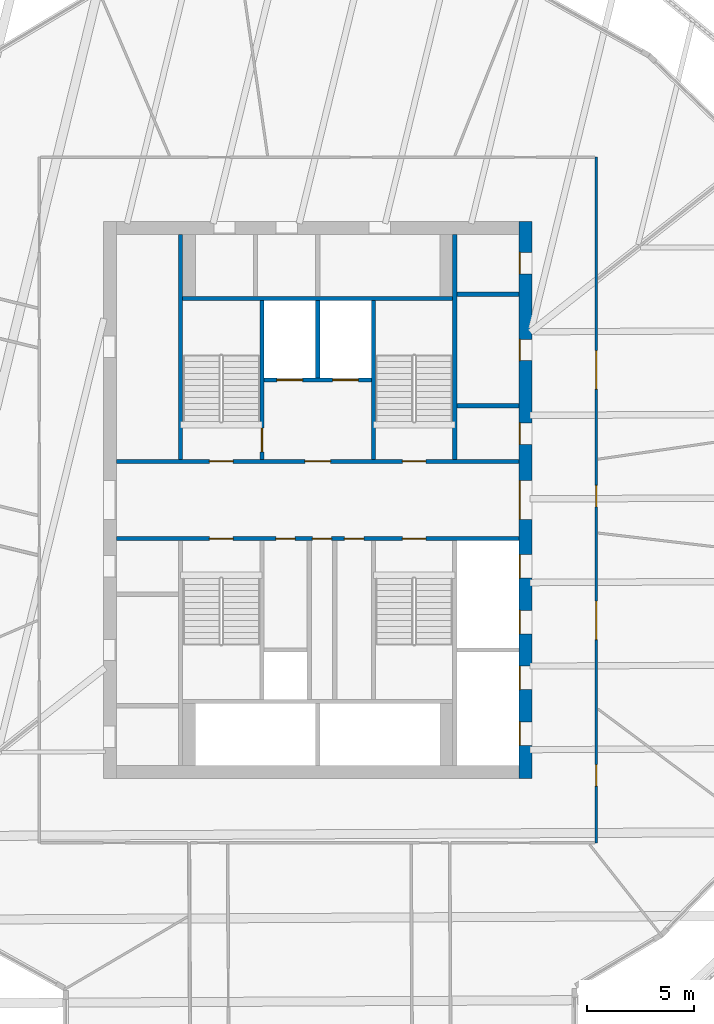
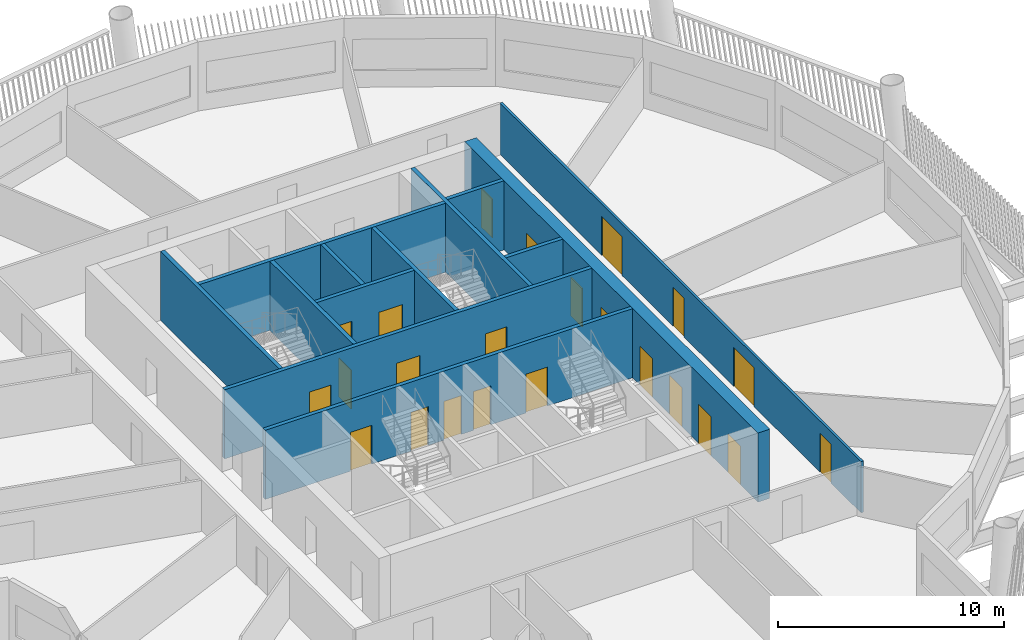
# One storey, part 5 of 15: 23 doors, 13 walls, 23 openings.
"""IFC4 building model written with IfcOpenShell, lengths in metres."""

from ifc_helpers import new_model, si_unit, direction, frame, frame_2d, origin, place, context, subcontext, project, spatial, rectangle, extrude, material, layer, layer_set, type_object, element, fill, save


model = new_model("IFC4")

# Units and contexts
model_context = context("Model", 3, precision=1e-05, world=origin(), true_north=direction((0.0, 1.0)))
body_context = subcontext(model_context, "Body", "Model", "MODEL_VIEW")
ifc_project = project(units=[si_unit("LENGTHUNIT", "METRE"), si_unit("AREAUNIT", "SQUARE_METRE"), si_unit("VOLUMEUNIT", "CUBIC_METRE"), si_unit("PLANEANGLEUNIT", "RADIAN"), si_unit("MASSUNIT", "GRAM", prefix="KILO")], contexts=[model_context])

# Site, building, storey
site_placement = place(None, origin())
site = spatial("IfcSite", under=ifc_project, at=site_placement, CompositionType="ELEMENT")
building_placement = place(site_placement, origin())
building = spatial("IfcBuilding", under=site, at=building_placement, Name="Tarsis Ring Headquarters", CompositionType="ELEMENT")
storey_placement = place(building_placement, frame((0.0, 0.0, 227.699951171875)))
storey = spatial("IfcBuildingStorey", under=building, at=storey_placement, Name="L53", CompositionType="ELEMENT", Elevation=227.699951171875)

# Walls
ifc_material_1 = material(Name="Blockwork", Category="masonry")
ifc_layer_1 = layer(ifc_material_1, 0.199951171875)
ifc_layer_set_1 = layer_set([ifc_layer_1], Name="Core blockwork wall 200")
wall_type_1 = type_object("IfcWallType", Name="Core blockwork wall 200", PredefinedType="PARTITIONING", material=ifc_layer_set_1)
for number, where, z_axis, x_axis, name in (
    (1, (6.5, 4.39990234375, 0.0), (0.0, 0.0, 1.0), (1.0, 0.0, 0.0), "Core partition ED5"),
    (2, (6.5, 9.60009765625, 0.0), (0.0, 0.0, 1.0), (1.0, 0.0, 0.0), "Core partition ED7"),
):
    element("IfcWall", number, at=place(storey_placement, frame(where, z_axis=z_axis, x_axis=x_axis)), inside=storey, type_object=wall_type_1, Name=name, PredefinedType="PARTITIONING", context=body_context, shape_type="SweptSolid", body=[
        extrude(rectangle(XDim=2.89990234375, YDim=0.199951171875, at=frame_2d((1.449951171875, 0.0))), origin(), (0.0, 0.0, 1.0), 3.739990234375),
    ])

# Wall, openings, doors
ifc_material_2 = material(Name="Concrete C50/60", Category="concrete")
ifc_layer_2 = layer(ifc_material_2, 0.60009765625)
ifc_layer_set_2 = layer_set([ifc_layer_2], Name="Core wall 600 C50/60")
wall_type_2 = type_object("IfcWallType", Name="Core wall 600 C50/60", PredefinedType="SHEAR", material=ifc_layer_set_2)
wall_1_placement = place(storey_placement, frame((9.699951171875, -13.0, 0.0), z_axis=(0.0, 0.0, 1.0), x_axis=(0.0, 1.0, 0.0)))
wall_1 = element("IfcWall", 3, at=wall_1_placement, inside=storey, type_object=wall_type_2, Name="Core wall OE", PredefinedType="SHEAR", context=body_context, shape_type="SweptSolid", body=[
    extrude(rectangle(XDim=26.0, YDim=0.60009765625, at=frame_2d((13.0, 0.0))), origin(), (0.0, 0.0, 1.0), 3.739990234375),
])
opening_1_placement = place(wall_1_placement, frame((1.550048828125, 0.0, 0.0)))
opening_1 = element("IfcOpeningElement", 4, at=opening_1_placement, cuts=wall_1, Name="Opening LD-MR1", PredefinedType="OPENING", context=body_context, shape_type="SweptSolid", body=[
    extrude(rectangle(XDim=1.10009765625, YDim=2.10009765625, at=frame_2d((0.550048828125, 1.050048828125))), frame((0.0, 0.31005859375, 0.0), z_axis=(0.0, -1.0, 0.0), x_axis=(1.0, 0.0, 0.0)), (0.0, 0.0, 1.0), 0.6201171875),
])
opening_2_placement = place(wall_1_placement, frame((4.14990234375, 0.0, 0.0)))
opening_2 = element("IfcOpeningElement", 5, at=opening_2_placement, cuts=wall_1, Name="Opening LD-MR2", PredefinedType="OPENING", context=body_context, shape_type="SweptSolid", body=[
    extrude(rectangle(XDim=1.10009765625, YDim=2.10009765625, at=frame_2d((0.550048828125, 1.050048828125))), frame((0.0, 0.31005859375, 0.0), z_axis=(0.0, -1.0, 0.0), x_axis=(1.0, 0.0, 0.0)), (0.0, 0.0, 1.0), 0.6201171875),
])
opening_3_placement = place(wall_1_placement, frame((6.75, 0.0, 0.0)))
opening_3 = element("IfcOpeningElement", 6, at=opening_3_placement, cuts=wall_1, Name="Opening LD-MR3", PredefinedType="OPENING", context=body_context, shape_type="SweptSolid", body=[
    extrude(rectangle(XDim=1.10009765625, YDim=2.10009765625, at=frame_2d((0.550048828125, 1.050048828125))), frame((0.0, 0.31005859375, 0.0), z_axis=(0.0, -1.0, 0.0), x_axis=(1.0, 0.0, 0.0)), (0.0, 0.0, 1.0), 0.6201171875),
])
opening_4_placement = place(wall_1_placement, frame((9.35009765625, 0.0, 0.0)))
opening_4 = element("IfcOpeningElement", 7, at=opening_4_placement, cuts=wall_1, Name="Opening LD-MR4", PredefinedType="OPENING", context=body_context, shape_type="SweptSolid", body=[
    extrude(rectangle(XDim=1.10009765625, YDim=2.10009765625, at=frame_2d((0.550048828125, 1.050048828125))), frame((0.0, 0.31005859375, 0.0), z_axis=(0.0, -1.0, 0.0), x_axis=(1.0, 0.0, 0.0)), (0.0, 0.0, 1.0), 0.6201171875),
])
opening_5_placement = place(wall_1_placement, frame((12.10009765625, 0.0, 0.0)))
opening_5 = element("IfcOpeningElement", 8, at=opening_5_placement, cuts=wall_1, Name="Opening L53-C10", PredefinedType="OPENING", context=body_context, shape_type="SweptSolid", body=[
    extrude(rectangle(XDim=1.800048828125, YDim=2.10009765625, at=frame_2d((0.89990234375, 1.050048828125))), frame((0.0, 0.31005859375, 0.0), z_axis=(0.0, -1.0, 0.0), x_axis=(1.0, 0.0, 0.0)), (0.0, 0.0, 1.0), 0.6201171875),
])
opening_6_placement = place(wall_1_placement, frame((15.60009765625, 0.0, 0.0)))
opening_6 = element("IfcOpeningElement", 9, at=opening_6_placement, cuts=wall_1, Name="Opening L53-C11", PredefinedType="OPENING", context=body_context, shape_type="SweptSolid", body=[
    extrude(rectangle(XDim=1.0, YDim=2.10009765625, at=frame_2d((0.5, 1.050048828125))), frame((0.0, 0.31005859375, 0.0), z_axis=(0.0, -1.0, 0.0), x_axis=(1.0, 0.0, 0.0)), (0.0, 0.0, 1.0), 0.6201171875),
])
opening_7_placement = place(wall_1_placement, frame((19.5, 0.0, 0.0)))
opening_7 = element("IfcOpeningElement", 10, at=opening_7_placement, cuts=wall_1, Name="Opening L53-C12", PredefinedType="OPENING", context=body_context, shape_type="SweptSolid", body=[
    extrude(rectangle(XDim=1.0, YDim=2.10009765625, at=frame_2d((0.5, 1.050048828125))), frame((0.0, 0.31005859375, 0.0), z_axis=(0.0, -1.0, 0.0), x_axis=(1.0, 0.0, 0.0)), (0.0, 0.0, 1.0), 0.6201171875),
])
opening_8_placement = place(wall_1_placement, frame((23.550048828125, 0.0, 0.0)))
opening_8 = element("IfcOpeningElement", 11, at=opening_8_placement, cuts=wall_1, Name="Opening L53-C13", PredefinedType="OPENING", context=body_context, shape_type="SweptSolid", body=[
    extrude(rectangle(XDim=1.0, YDim=2.10009765625, at=frame_2d((0.5, 1.050048828125))), frame((0.0, 0.31005859375, 0.0), z_axis=(0.0, -1.0, 0.0), x_axis=(1.0, 0.0, 0.0)), (0.0, 0.0, 1.0), 0.6201171875),
])
ifc_material_3 = material(Name="Steel S355", Category="steel")
door_type_1 = type_object("IfcDoorType", Name="Core entry door 1800x2100", OperationType="DOUBLE_DOOR_SINGLE_SWING", PredefinedType="DOOR", material=ifc_material_3)
door_1_placement = place(opening_5_placement, origin())
door_1 = element("IfcDoor", 12, at=door_1_placement, inside=storey, type_object=door_type_1, Name="Core entry door L53", OperationType="DOUBLE_DOOR_SINGLE_SWING", OverallHeight=2.10009765625, OverallWidth=1.800048828125, PredefinedType="DOOR", context=body_context, shape_type="SweptSolid", body=[
    extrude(rectangle(XDim=1.800048828125, YDim=2.10009765625, at=frame_2d((0.89990234375, 1.050048828125))), frame((0.0, 0.2998046875, 0.0), z_axis=(0.0, -1.0, 0.0), x_axis=(1.0, 0.0, 0.0)), (0.0, 0.0, 1.0), 0.050048828125),
])
fill(opening_5, door_1)
door_type_2 = type_object("IfcDoorType", Name="Core room door 1000x2100", OperationType="SINGLE_SWING_LEFT", PredefinedType="DOOR", material=ifc_material_3)
door_2_placement = place(opening_6_placement, origin())
door_2 = element("IfcDoor", 13, at=door_2_placement, inside=storey, type_object=door_type_2, Name="Core room door L53", OperationType="SINGLE_SWING_LEFT", OverallHeight=2.10009765625, OverallWidth=1.0, PredefinedType="DOOR", context=body_context, shape_type="SweptSolid", body=[
    extrude(rectangle(XDim=1.0, YDim=2.10009765625, at=frame_2d((0.5, 1.050048828125))), frame((0.0, 0.2998046875, 0.0), z_axis=(0.0, -1.0, 0.0), x_axis=(1.0, 0.0, 0.0)), (0.0, 0.0, 1.0), 0.050048828125),
])
fill(opening_6, door_2)
door_3_placement = place(opening_7_placement, origin())
door_3 = element("IfcDoor", 14, at=door_3_placement, inside=storey, type_object=door_type_2, Name="Core room door L53", OperationType="SINGLE_SWING_LEFT", OverallHeight=2.10009765625, OverallWidth=1.0, PredefinedType="DOOR", context=body_context, shape_type="SweptSolid", body=[
    extrude(rectangle(XDim=1.0, YDim=2.10009765625, at=frame_2d((0.5, 1.050048828125))), frame((0.0, 0.2998046875, 0.0), z_axis=(0.0, -1.0, 0.0), x_axis=(1.0, 0.0, 0.0)), (0.0, 0.0, 1.0), 0.050048828125),
])
fill(opening_7, door_3)
door_4_placement = place(opening_8_placement, origin())
door_4 = element("IfcDoor", 15, at=door_4_placement, inside=storey, type_object=door_type_2, Name="Core room door L53", OperationType="SINGLE_SWING_LEFT", OverallHeight=2.10009765625, OverallWidth=1.0, PredefinedType="DOOR", context=body_context, shape_type="SweptSolid", body=[
    extrude(rectangle(XDim=1.0, YDim=2.10009765625, at=frame_2d((0.5, 1.050048828125))), frame((0.0, 0.2998046875, 0.0), z_axis=(0.0, -1.0, 0.0), x_axis=(1.0, 0.0, 0.0)), (0.0, 0.0, 1.0), 0.050048828125),
])
fill(opening_8, door_4)
door_type_3 = type_object("IfcDoorType", Name="Landing door 1100x2100", OperationType="SLIDING_TO_LEFT", PredefinedType="DOOR", material=ifc_material_3)
door_5_placement = place(opening_1_placement, origin())
door_5 = element("IfcDoor", 16, at=door_5_placement, inside=storey, type_object=door_type_3, Name="Landing door MR1 L53", OperationType="SLIDING_TO_LEFT", OverallHeight=2.10009765625, OverallWidth=1.10009765625, PredefinedType="DOOR", context=body_context, shape_type="SweptSolid", body=[
    extrude(rectangle(XDim=1.10009765625, YDim=2.10009765625, at=frame_2d((0.550048828125, 1.050048828125))), frame((0.0, 0.2998046875, 0.0), z_axis=(0.0, -1.0, 0.0), x_axis=(1.0, 0.0, 0.0)), (0.0, 0.0, 1.0), 0.050048828125),
])
fill(opening_1, door_5)
door_6_placement = place(opening_2_placement, origin())
door_6 = element("IfcDoor", 17, at=door_6_placement, inside=storey, type_object=door_type_3, Name="Landing door MR2 L53", OperationType="SLIDING_TO_LEFT", OverallHeight=2.10009765625, OverallWidth=1.10009765625, PredefinedType="DOOR", context=body_context, shape_type="SweptSolid", body=[
    extrude(rectangle(XDim=1.10009765625, YDim=2.10009765625, at=frame_2d((0.550048828125, 1.050048828125))), frame((0.0, 0.2998046875, 0.0), z_axis=(0.0, -1.0, 0.0), x_axis=(1.0, 0.0, 0.0)), (0.0, 0.0, 1.0), 0.050048828125),
])
fill(opening_2, door_6)
door_7_placement = place(opening_3_placement, origin())
door_7 = element("IfcDoor", 18, at=door_7_placement, inside=storey, type_object=door_type_3, Name="Landing door MR3 L53", OperationType="SLIDING_TO_LEFT", OverallHeight=2.10009765625, OverallWidth=1.10009765625, PredefinedType="DOOR", context=body_context, shape_type="SweptSolid", body=[
    extrude(rectangle(XDim=1.10009765625, YDim=2.10009765625, at=frame_2d((0.550048828125, 1.050048828125))), frame((0.0, 0.2998046875, 0.0), z_axis=(0.0, -1.0, 0.0), x_axis=(1.0, 0.0, 0.0)), (0.0, 0.0, 1.0), 0.050048828125),
])
fill(opening_3, door_7)
door_8_placement = place(opening_4_placement, origin())
door_8 = element("IfcDoor", 19, at=door_8_placement, inside=storey, type_object=door_type_3, Name="Landing door MR4 L53", OperationType="SLIDING_TO_LEFT", OverallHeight=2.10009765625, OverallWidth=1.10009765625, PredefinedType="DOOR", context=body_context, shape_type="SweptSolid", body=[
    extrude(rectangle(XDim=1.10009765625, YDim=2.10009765625, at=frame_2d((0.550048828125, 1.050048828125))), frame((0.0, 0.2998046875, 0.0), z_axis=(0.0, -1.0, 0.0), x_axis=(1.0, 0.0, 0.0)), (0.0, 0.0, 1.0), 0.050048828125),
])
fill(opening_4, door_8)

ifc_material_4 = material(Name="Gypsum board on steel studs", Category="steel")
ifc_layer_3 = layer(ifc_material_4, 0.125)
ifc_layer_set_3 = layer_set([ifc_layer_3], Name="FL partition 125 EI 60 H2770")
wall_type_3 = type_object("IfcWallType", Name="FL partition 125 EI 60 H2770", PredefinedType="PARTITIONING", material=ifc_layer_set_3)
wall_2_placement = place(storey_placement, frame((13.0, -16.0, 0.0), z_axis=(0.0, 0.0, 1.0), x_axis=(0.0, 1.0, 0.0)))
wall_2 = element("IfcWall", 20, at=wall_2_placement, inside=storey, type_object=wall_type_3, Name="Partition PW1", PredefinedType="PARTITIONING", context=body_context, shape_type="SweptSolid", body=[
    extrude(rectangle(XDim=32.0, YDim=0.125, at=frame_2d((16.0, 0.0))), origin(), (0.0, 0.0, 1.0), 2.77001953125),
])
opening_9_placement = place(wall_2_placement, frame((21.175537109375, 0.0, 0.0)))
opening_9 = element("IfcOpeningElement", 21, at=opening_9_placement, cuts=wall_2, Name="Opening D53.07", PredefinedType="OPENING", context=body_context, shape_type="SweptSolid", body=[
    extrude(rectangle(XDim=1.800048828125, YDim=2.10009765625, at=frame_2d((0.89990234375, 1.050048828125))), frame((0.0, 0.072509765625, 0.0), z_axis=(0.0, -1.0, 0.0), x_axis=(1.0, 0.0, 0.0)), (0.0, 0.0, 1.0), 0.14501953125),
])
opening_10_placement = place(wall_2_placement, frame((15.68017578125, 0.0, 0.0)))
opening_10 = element("IfcOpeningElement", 22, at=opening_10_placement, cuts=wall_2, Name="Opening D53.08", PredefinedType="OPENING", context=body_context, shape_type="SweptSolid", body=[
    extrude(rectangle(XDim=1.0, YDim=2.10009765625, at=frame_2d((0.5, 1.050048828125))), frame((0.0, 0.072509765625, 0.0), z_axis=(0.0, -1.0, 0.0), x_axis=(1.0, 0.0, 0.0)), (0.0, 0.0, 1.0), 0.14501953125),
])
opening_11_placement = place(wall_2_placement, frame((9.485595703125, 0.0, 0.0)))
opening_11 = element("IfcOpeningElement", 23, at=opening_11_placement, cuts=wall_2, Name="Opening D53.09", PredefinedType="OPENING", context=body_context, shape_type="SweptSolid", body=[
    extrude(rectangle(XDim=1.800048828125, YDim=2.10009765625, at=frame_2d((0.89990234375, 1.050048828125))), frame((0.0, 0.072509765625, 0.0), z_axis=(0.0, -1.0, 0.0), x_axis=(1.0, 0.0, 0.0)), (0.0, 0.0, 1.0), 0.14501953125),
])
opening_12_placement = place(wall_2_placement, frame((2.651611328125, 0.0, 0.0)))
opening_12 = element("IfcOpeningElement", 24, at=opening_12_placement, cuts=wall_2, Name="Opening D53.10", PredefinedType="OPENING", context=body_context, shape_type="SweptSolid", body=[
    extrude(rectangle(XDim=1.0, YDim=2.10009765625, at=frame_2d((0.5, 1.050048828125))), frame((0.0, 0.072509765625, 0.0), z_axis=(0.0, -1.0, 0.0), x_axis=(1.0, 0.0, 0.0)), (0.0, 0.0, 1.0), 0.14501953125),
])
ifc_material_5 = material(Name="Fire-rated timber door leaf in steel frame", Category="steel")
door_type_4 = type_object("IfcDoorType", Name="FL door FD60-1000", OperationType="NOTDEFINED", PredefinedType="DOOR", material=ifc_material_5)
door_9_placement = place(opening_10_placement, origin())
door_9 = element("IfcDoor", 25, at=door_9_placement, inside=storey, type_object=door_type_4, Name="Door D53.08", OperationType="SINGLE_SWING_LEFT", OverallHeight=2.10009765625, OverallWidth=1.0, PredefinedType="DOOR", context=body_context, shape_type="SweptSolid", body=[
    extrude(rectangle(XDim=1.0, YDim=2.10009765625, at=frame_2d((0.5, 1.050048828125))), frame((0.0, 0.02490234375, 0.0), z_axis=(0.0, -1.0, 0.0), x_axis=(1.0, 0.0, 0.0)), (0.0, 0.0, 1.0), 0.050048828125),
])
fill(opening_10, door_9)
door_10_placement = place(opening_12_placement, origin())
door_10 = element("IfcDoor", 26, at=door_10_placement, inside=storey, type_object=door_type_4, Name="Door D53.10", OperationType="SINGLE_SWING_LEFT", OverallHeight=2.10009765625, OverallWidth=1.0, PredefinedType="DOOR", context=body_context, shape_type="SweptSolid", body=[
    extrude(rectangle(XDim=1.0, YDim=2.10009765625, at=frame_2d((0.5, 1.050048828125))), frame((0.0, 0.02490234375, 0.0), z_axis=(0.0, -1.0, 0.0), x_axis=(1.0, 0.0, 0.0)), (0.0, 0.0, 1.0), 0.050048828125),
])
fill(opening_12, door_10)
door_type_5 = type_object("IfcDoorType", Name="FL door FD60-1800", OperationType="DOUBLE_DOOR_SINGLE_SWING", PredefinedType="DOOR", material=ifc_material_5)
door_11_placement = place(opening_9_placement, origin())
door_11 = element("IfcDoor", 27, at=door_11_placement, inside=storey, type_object=door_type_5, Name="Door D53.07", OperationType="DOUBLE_DOOR_SINGLE_SWING", OverallHeight=2.10009765625, OverallWidth=1.800048828125, PredefinedType="DOOR", context=body_context, shape_type="SweptSolid", body=[
    extrude(rectangle(XDim=1.800048828125, YDim=2.10009765625, at=frame_2d((0.89990234375, 1.050048828125))), frame((0.0, 0.02490234375, 0.0), z_axis=(0.0, -1.0, 0.0), x_axis=(1.0, 0.0, 0.0)), (0.0, 0.0, 1.0), 0.050048828125),
])
fill(opening_9, door_11)
door_12_placement = place(opening_11_placement, origin())
door_12 = element("IfcDoor", 28, at=door_12_placement, inside=storey, type_object=door_type_5, Name="Door D53.09", OperationType="DOUBLE_DOOR_SINGLE_SWING", OverallHeight=2.10009765625, OverallWidth=1.800048828125, PredefinedType="DOOR", context=body_context, shape_type="SweptSolid", body=[
    extrude(rectangle(XDim=1.800048828125, YDim=2.10009765625, at=frame_2d((0.89990234375, 1.050048828125))), frame((0.0, 0.02490234375, 0.0), z_axis=(0.0, -1.0, 0.0), x_axis=(1.0, 0.0, 0.0)), (0.0, 0.0, 1.0), 0.050048828125),
])
fill(opening_11, door_12)

ifc_material_6 = material(Name="Concrete C32/40", Category="concrete")
ifc_layer_4 = layer(ifc_material_6, 0.199951171875)
ifc_layer_set_4 = layer_set([ifc_layer_4], Name="Shaft wall 200 C32/40")
wall_type_4 = type_object("IfcWallType", Name="Shaft wall 200 C32/40", PredefinedType="SOLIDWALL", material=ifc_layer_set_4)
wall_3_placement = place(storey_placement, frame((-9.39990234375, 1.800048828125, 0.0), z_axis=(0.0, 0.0, 1.0), x_axis=(1.0, 0.0, 0.0)))
wall_3 = element("IfcWall", 29, at=wall_3_placement, inside=storey, type_object=wall_type_4, Name="Core shaft wall CN", PredefinedType="SOLIDWALL", context=body_context, shape_type="SweptSolid", body=[
    extrude(rectangle(XDim=18.7998046875, YDim=0.199951171875, at=frame_2d((9.39990234375, 0.0))), origin(), (0.0, 0.0, 1.0), 3.739990234375),
])
opening_13_placement = place(wall_3_placement, frame((4.35009765625, 0.0, 0.0)))
opening_13 = element("IfcOpeningElement", 30, at=opening_13_placement, cuts=wall_3, Name="Opening L53-C17", PredefinedType="OPENING", context=body_context, shape_type="SweptSolid", body=[
    extrude(rectangle(XDim=1.10009765625, YDim=2.10009765625, at=frame_2d((0.550048828125, 1.050048828125))), frame((0.0, 0.10986328125, 0.0), z_axis=(0.0, -1.0, 0.0), x_axis=(1.0, 0.0, 0.0)), (0.0, 0.0, 1.0), 0.219970703125),
])
opening_14_placement = place(wall_3_placement, frame((8.800048828125, 0.0, 0.0)))
opening_14 = element("IfcOpeningElement", 31, at=opening_14_placement, cuts=wall_3, Name="Opening L53-C18", PredefinedType="OPENING", context=body_context, shape_type="SweptSolid", body=[
    extrude(rectangle(XDim=1.199951171875, YDim=2.10009765625, at=frame_2d((0.60009765625, 1.050048828125))), frame((0.0, 0.10986328125, 0.0), z_axis=(0.0, -1.0, 0.0), x_axis=(1.0, 0.0, 0.0)), (0.0, 0.0, 1.0), 0.219970703125),
])
opening_15_placement = place(wall_3_placement, frame((13.35009765625, 0.0, 0.0)))
opening_15 = element("IfcOpeningElement", 32, at=opening_15_placement, cuts=wall_3, Name="Opening L53-C19", PredefinedType="OPENING", context=body_context, shape_type="SweptSolid", body=[
    extrude(rectangle(XDim=1.10009765625, YDim=2.10009765625, at=frame_2d((0.550048828125, 1.050048828125))), frame((0.0, 0.10986328125, 0.0), z_axis=(0.0, -1.0, 0.0), x_axis=(1.0, 0.0, 0.0)), (0.0, 0.0, 1.0), 0.219970703125),
])
door_type_6 = type_object("IfcDoorType", Name="Firefighting lobby door 1200x2100", OperationType="DOUBLE_DOOR_SINGLE_SWING", PredefinedType="DOOR", material=ifc_material_3)
door_13_placement = place(opening_14_placement, origin())
door_13 = element("IfcDoor", 33, at=door_13_placement, inside=storey, type_object=door_type_6, Name="Firefighting lobby door L53", OperationType="DOUBLE_DOOR_SINGLE_SWING", OverallHeight=2.10009765625, OverallWidth=1.199951171875, PredefinedType="DOOR", context=body_context, shape_type="SweptSolid", body=[
    extrude(rectangle(XDim=1.199951171875, YDim=2.10009765625, at=frame_2d((0.60009765625, 1.050048828125))), frame((0.0, 0.02490234375, 0.0), z_axis=(0.0, -1.0, 0.0), x_axis=(1.0, 0.0, 0.0)), (0.0, 0.0, 1.0), 0.050048828125),
])
fill(opening_14, door_13)
door_type_7 = type_object("IfcDoorType", Name="Stair door 1100x2100", OperationType="SINGLE_SWING_LEFT", PredefinedType="DOOR", material=ifc_material_3)
door_14_placement = place(opening_13_placement, origin())
door_14 = element("IfcDoor", 34, at=door_14_placement, inside=storey, type_object=door_type_7, Name="Stair door L53", OperationType="SINGLE_SWING_LEFT", OverallHeight=2.10009765625, OverallWidth=1.10009765625, PredefinedType="DOOR", context=body_context, shape_type="SweptSolid", body=[
    extrude(rectangle(XDim=1.10009765625, YDim=2.10009765625, at=frame_2d((0.550048828125, 1.050048828125))), frame((0.0, 0.02490234375, 0.0), z_axis=(0.0, -1.0, 0.0), x_axis=(1.0, 0.0, 0.0)), (0.0, 0.0, 1.0), 0.050048828125),
])
fill(opening_13, door_14)
door_15_placement = place(opening_15_placement, origin())
door_15 = element("IfcDoor", 35, at=door_15_placement, inside=storey, type_object=door_type_7, Name="Stair door L53", OperationType="SINGLE_SWING_LEFT", OverallHeight=2.10009765625, OverallWidth=1.10009765625, PredefinedType="DOOR", context=body_context, shape_type="SweptSolid", body=[
    extrude(rectangle(XDim=1.10009765625, YDim=2.10009765625, at=frame_2d((0.550048828125, 1.050048828125))), frame((0.0, 0.02490234375, 0.0), z_axis=(0.0, -1.0, 0.0), x_axis=(1.0, 0.0, 0.0)), (0.0, 0.0, 1.0), 0.050048828125),
])
fill(opening_15, door_15)

wall_4_placement = place(storey_placement, frame((-9.39990234375, -1.800048828125, 0.0), z_axis=(0.0, 0.0, 1.0), x_axis=(1.0, 0.0, 0.0)))
wall_4 = element("IfcWall", 36, at=wall_4_placement, inside=storey, type_object=wall_type_4, Name="Core shaft wall CS", PredefinedType="SOLIDWALL", context=body_context, shape_type="SweptSolid", body=[
    extrude(rectangle(XDim=18.7998046875, YDim=0.199951171875, at=frame_2d((9.39990234375, 0.0))), origin(), (0.0, 0.0, 1.0), 3.739990234375),
])
opening_16_placement = place(wall_4_placement, frame((4.35009765625, 0.0, 0.0)))
opening_16 = element("IfcOpeningElement", 37, at=opening_16_placement, cuts=wall_4, Name="Opening L53-C20", PredefinedType="OPENING", context=body_context, shape_type="SweptSolid", body=[
    extrude(rectangle(XDim=1.10009765625, YDim=2.10009765625, at=frame_2d((0.550048828125, 1.050048828125))), frame((0.0, 0.10986328125, 0.0), z_axis=(0.0, -1.0, 0.0), x_axis=(1.0, 0.0, 0.0)), (0.0, 0.0, 1.0), 0.219970703125),
])
opening_17_placement = place(wall_4_placement, frame((7.449951171875, 0.0, 0.0)))
opening_17 = element("IfcOpeningElement", 38, at=opening_17_placement, cuts=wall_4, Name="Opening L53-C21", PredefinedType="OPENING", context=body_context, shape_type="SweptSolid", body=[
    extrude(rectangle(XDim=0.89990234375, YDim=2.10009765625, at=frame_2d((0.449951171875, 1.050048828125))), frame((0.0, 0.10986328125, 0.0), z_axis=(0.0, -1.0, 0.0), x_axis=(1.0, 0.0, 0.0)), (0.0, 0.0, 1.0), 0.219970703125),
])
opening_18_placement = place(wall_4_placement, frame((9.14990234375, 0.0, 0.0)))
opening_18 = element("IfcOpeningElement", 39, at=opening_18_placement, cuts=wall_4, Name="Opening L53-C22", PredefinedType="OPENING", context=body_context, shape_type="SweptSolid", body=[
    extrude(rectangle(XDim=0.89990234375, YDim=2.10009765625, at=frame_2d((0.449951171875, 1.050048828125))), frame((0.0, 0.10986328125, 0.0), z_axis=(0.0, -1.0, 0.0), x_axis=(1.0, 0.0, 0.0)), (0.0, 0.0, 1.0), 0.219970703125),
])
opening_19_placement = place(wall_4_placement, frame((10.64990234375, 0.0, 0.0)))
opening_19 = element("IfcOpeningElement", 40, at=opening_19_placement, cuts=wall_4, Name="Opening L53-C23", PredefinedType="OPENING", context=body_context, shape_type="SweptSolid", body=[
    extrude(rectangle(XDim=0.89990234375, YDim=2.10009765625, at=frame_2d((0.449951171875, 1.050048828125))), frame((0.0, 0.10986328125, 0.0), z_axis=(0.0, -1.0, 0.0), x_axis=(1.0, 0.0, 0.0)), (0.0, 0.0, 1.0), 0.219970703125),
])
opening_20_placement = place(wall_4_placement, frame((13.35009765625, 0.0, 0.0)))
opening_20 = element("IfcOpeningElement", 41, at=opening_20_placement, cuts=wall_4, Name="Opening L53-C24", PredefinedType="OPENING", context=body_context, shape_type="SweptSolid", body=[
    extrude(rectangle(XDim=1.10009765625, YDim=2.10009765625, at=frame_2d((0.550048828125, 1.050048828125))), frame((0.0, 0.10986328125, 0.0), z_axis=(0.0, -1.0, 0.0), x_axis=(1.0, 0.0, 0.0)), (0.0, 0.0, 1.0), 0.219970703125),
])
door_16_placement = place(opening_16_placement, origin())
door_16 = element("IfcDoor", 42, at=door_16_placement, inside=storey, type_object=door_type_7, Name="Stair door L53", OperationType="SINGLE_SWING_LEFT", OverallHeight=2.10009765625, OverallWidth=1.10009765625, PredefinedType="DOOR", context=body_context, shape_type="SweptSolid", body=[
    extrude(rectangle(XDim=1.10009765625, YDim=2.10009765625, at=frame_2d((0.550048828125, 1.050048828125))), frame((0.0, 0.02490234375, 0.0), z_axis=(0.0, -1.0, 0.0), x_axis=(1.0, 0.0, 0.0)), (0.0, 0.0, 1.0), 0.050048828125),
])
fill(opening_16, door_16)
door_17_placement = place(opening_20_placement, origin())
door_17 = element("IfcDoor", 43, at=door_17_placement, inside=storey, type_object=door_type_7, Name="Stair door L53", OperationType="SINGLE_SWING_LEFT", OverallHeight=2.10009765625, OverallWidth=1.10009765625, PredefinedType="DOOR", context=body_context, shape_type="SweptSolid", body=[
    extrude(rectangle(XDim=1.10009765625, YDim=2.10009765625, at=frame_2d((0.550048828125, 1.050048828125))), frame((0.0, 0.02490234375, 0.0), z_axis=(0.0, -1.0, 0.0), x_axis=(1.0, 0.0, 0.0)), (0.0, 0.0, 1.0), 0.050048828125),
])
fill(opening_20, door_17)
door_type_8 = type_object("IfcDoorType", Name="WC door 900x2100", OperationType="SINGLE_SWING_LEFT", PredefinedType="DOOR", material=ifc_material_3)
door_18_placement = place(opening_17_placement, origin())
door_18 = element("IfcDoor", 44, at=door_18_placement, inside=storey, type_object=door_type_8, Name="WC door L53", OperationType="SINGLE_SWING_LEFT", OverallHeight=2.10009765625, OverallWidth=0.89990234375, PredefinedType="DOOR", context=body_context, shape_type="SweptSolid", body=[
    extrude(rectangle(XDim=0.89990234375, YDim=2.10009765625, at=frame_2d((0.449951171875, 1.050048828125))), frame((0.0, 0.02490234375, 0.0), z_axis=(0.0, -1.0, 0.0), x_axis=(1.0, 0.0, 0.0)), (0.0, 0.0, 1.0), 0.050048828125),
])
fill(opening_17, door_18)
door_19_placement = place(opening_18_placement, origin())
door_19 = element("IfcDoor", 45, at=door_19_placement, inside=storey, type_object=door_type_8, Name="WC door L53", OperationType="SINGLE_SWING_LEFT", OverallHeight=2.10009765625, OverallWidth=0.89990234375, PredefinedType="DOOR", context=body_context, shape_type="SweptSolid", body=[
    extrude(rectangle(XDim=0.89990234375, YDim=2.10009765625, at=frame_2d((0.449951171875, 1.050048828125))), frame((0.0, 0.02490234375, 0.0), z_axis=(0.0, -1.0, 0.0), x_axis=(1.0, 0.0, 0.0)), (0.0, 0.0, 1.0), 0.050048828125),
])
fill(opening_18, door_19)
door_20_placement = place(opening_19_placement, origin())
door_20 = element("IfcDoor", 46, at=door_20_placement, inside=storey, type_object=door_type_8, Name="WC door L53", OperationType="SINGLE_SWING_LEFT", OverallHeight=2.10009765625, OverallWidth=0.89990234375, PredefinedType="DOOR", context=body_context, shape_type="SweptSolid", body=[
    extrude(rectangle(XDim=0.89990234375, YDim=2.10009765625, at=frame_2d((0.449951171875, 1.050048828125))), frame((0.0, 0.02490234375, 0.0), z_axis=(0.0, -1.0, 0.0), x_axis=(1.0, 0.0, 0.0)), (0.0, 0.0, 1.0), 0.050048828125),
])
fill(opening_19, door_20)

# Walls
for number, where, z_axis, x_axis, name in (
    (47, (-6.39990234375, 1.89990234375, 0.0), (0.0, 0.0, 1.0), (0.0, 1.0, 0.0), "Core shaft wall WB2"),
    (48, (6.39990234375, 1.89990234375, 0.0), (0.0, 0.0, 1.0), (0.0, 1.0, 0.0), "Core shaft wall EB2"),
):
    element("IfcWall", number, at=place(storey_placement, frame(where, z_axis=z_axis, x_axis=x_axis)), inside=storey, type_object=wall_type_4, Name=name, PredefinedType="SOLIDWALL", context=body_context, shape_type="SweptSolid", body=[
        extrude(rectangle(XDim=10.5, YDim=0.199951171875, at=frame_2d((5.25, 0.0))), origin(), (0.0, 0.0, 1.0), 3.739990234375),
    ])
wall_5_placement = place(storey_placement, frame((-6.300048828125, 9.39990234375, 0.0), z_axis=(0.0, 0.0, 1.0), x_axis=(1.0, 0.0, 0.0)))
element("IfcWall", 49, at=wall_5_placement, inside=storey, type_object=wall_type_4, Name="Core shaft wall NB", PredefinedType="SOLIDWALL", context=body_context, shape_type="SweptSolid", body=[
    extrude(rectangle(XDim=12.60009765625, YDim=0.199951171875, at=frame_2d((6.300048828125, 0.0))), origin(), (0.0, 0.0, 1.0), 3.739990234375),
])

# Wall, opening, door
wall_6_placement = place(storey_placement, frame((-2.60009765625, 1.89990234375, 0.0), z_axis=(0.0, 0.0, 1.0), x_axis=(0.0, 1.0, 0.0)))
wall_6 = element("IfcWall", 50, at=wall_6_placement, inside=storey, type_object=wall_type_4, Name="Core shaft wall SW1", PredefinedType="SOLIDWALL", context=body_context, shape_type="SweptSolid", body=[
    extrude(rectangle(XDim=7.400146484375, YDim=0.199951171875, at=frame_2d((3.7001953125, 0.0))), origin(), (0.0, 0.0, 1.0), 3.739990234375),
])
opening_21_placement = place(wall_6_placement, frame((0.35009765625, 0.0, 0.0)))
opening_21 = element("IfcOpeningElement", 51, at=opening_21_placement, cuts=wall_6, Name="Opening L53-C25", PredefinedType="OPENING", context=body_context, shape_type="SweptSolid", body=[
    extrude(rectangle(XDim=1.10009765625, YDim=2.10009765625, at=frame_2d((0.550048828125, 1.050048828125))), frame((0.0, 0.10986328125, 0.0), z_axis=(0.0, -1.0, 0.0), x_axis=(1.0, 0.0, 0.0)), (0.0, 0.0, 1.0), 0.219970703125),
])
door_21_placement = place(opening_21_placement, origin())
door_21 = element("IfcDoor", 52, at=door_21_placement, inside=storey, type_object=door_type_7, Name="Stair door L53", OperationType="SINGLE_SWING_LEFT", OverallHeight=2.10009765625, OverallWidth=1.10009765625, PredefinedType="DOOR", context=body_context, shape_type="SweptSolid", body=[
    extrude(rectangle(XDim=1.10009765625, YDim=2.10009765625, at=frame_2d((0.550048828125, 1.050048828125))), frame((0.0, 0.02490234375, 0.0), z_axis=(0.0, -1.0, 0.0), x_axis=(1.0, 0.0, 0.0)), (0.0, 0.0, 1.0), 0.050048828125),
])
fill(opening_21, door_21)

# Wall
wall_7_placement = place(storey_placement, frame((2.60009765625, 1.89990234375, 0.0), z_axis=(0.0, 0.0, 1.0), x_axis=(0.0, 1.0, 0.0)))
element("IfcWall", 53, at=wall_7_placement, inside=storey, type_object=wall_type_4, Name="Core shaft wall SW2", PredefinedType="SOLIDWALL", context=body_context, shape_type="SweptSolid", body=[
    extrude(rectangle(XDim=7.400146484375, YDim=0.199951171875, at=frame_2d((3.7001953125, 0.0))), origin(), (0.0, 0.0, 1.0), 3.739990234375),
])

# Wall, openings, doors
wall_8_placement = place(storey_placement, frame((-2.5, 5.60009765625, 0.0), z_axis=(0.0, 0.0, 1.0), x_axis=(1.0, 0.0, 0.0)))
wall_8 = element("IfcWall", 54, at=wall_8_placement, inside=storey, type_object=wall_type_4, Name="Core shaft wall FFN", PredefinedType="SOLIDWALL", context=body_context, shape_type="SweptSolid", body=[
    extrude(rectangle(XDim=5.0, YDim=0.199951171875, at=frame_2d((2.5, 0.0))), origin(), (0.0, 0.0, 1.0), 3.739990234375),
])
opening_22_placement = place(wall_8_placement, frame((0.60009765625, 0.0, 0.0)))
opening_22 = element("IfcOpeningElement", 55, at=opening_22_placement, cuts=wall_8, Name="Opening LDF-1", PredefinedType="OPENING", context=body_context, shape_type="SweptSolid", body=[
    extrude(rectangle(XDim=1.199951171875, YDim=2.10009765625, at=frame_2d((0.60009765625, 1.050048828125))), frame((0.0, 0.10986328125, 0.0), z_axis=(0.0, -1.0, 0.0), x_axis=(1.0, 0.0, 0.0)), (0.0, 0.0, 1.0), 0.219970703125),
])
opening_23_placement = place(wall_8_placement, frame((3.199951171875, 0.0, 0.0)))
opening_23 = element("IfcOpeningElement", 56, at=opening_23_placement, cuts=wall_8, Name="Opening LDF-2", PredefinedType="OPENING", context=body_context, shape_type="SweptSolid", body=[
    extrude(rectangle(XDim=1.199951171875, YDim=2.10009765625, at=frame_2d((0.60009765625, 1.050048828125))), frame((0.0, 0.10986328125, 0.0), z_axis=(0.0, -1.0, 0.0), x_axis=(1.0, 0.0, 0.0)), (0.0, 0.0, 1.0), 0.219970703125),
])
door_type_9 = type_object("IfcDoorType", Name="Firefighting landing door 1200x2100", OperationType="SLIDING_TO_LEFT", PredefinedType="DOOR", material=ifc_material_3)
door_22_placement = place(opening_22_placement, origin())
door_22 = element("IfcDoor", 57, at=door_22_placement, inside=storey, type_object=door_type_9, Name="Landing door FF1 L53", OperationType="SLIDING_TO_LEFT", OverallHeight=2.10009765625, OverallWidth=1.199951171875, PredefinedType="DOOR", context=body_context, shape_type="SweptSolid", body=[
    extrude(rectangle(XDim=1.199951171875, YDim=2.10009765625, at=frame_2d((0.60009765625, 1.050048828125))), frame((0.0, 0.02490234375, 0.0), z_axis=(0.0, -1.0, 0.0), x_axis=(1.0, 0.0, 0.0)), (0.0, 0.0, 1.0), 0.050048828125),
])
fill(opening_22, door_22)
door_23_placement = place(opening_23_placement, origin())
door_23 = element("IfcDoor", 58, at=door_23_placement, inside=storey, type_object=door_type_9, Name="Landing door FF2 L53", OperationType="SLIDING_TO_LEFT", OverallHeight=2.10009765625, OverallWidth=1.199951171875, PredefinedType="DOOR", context=body_context, shape_type="SweptSolid", body=[
    extrude(rectangle(XDim=1.199951171875, YDim=2.10009765625, at=frame_2d((0.60009765625, 1.050048828125))), frame((0.0, 0.02490234375, 0.0), z_axis=(0.0, -1.0, 0.0), x_axis=(1.0, 0.0, 0.0)), (0.0, 0.0, 1.0), 0.050048828125),
])
fill(opening_23, door_23)

# Wall
wall_9_placement = place(storey_placement, frame((0.0, 5.699951171875, 0.0), z_axis=(0.0, 0.0, 1.0), x_axis=(0.0, 1.0, 0.0)))
element("IfcWall", 59, at=wall_9_placement, inside=storey, type_object=wall_type_4, Name="Core shaft wall FFD", PredefinedType="SOLIDWALL", context=body_context, shape_type="SweptSolid", body=[
    extrude(rectangle(XDim=3.60009765625, YDim=0.199951171875, at=frame_2d((1.800048828125, 0.0))), origin(), (0.0, 0.0, 1.0), 3.739990234375),
])

save(model, "model.ifc")
